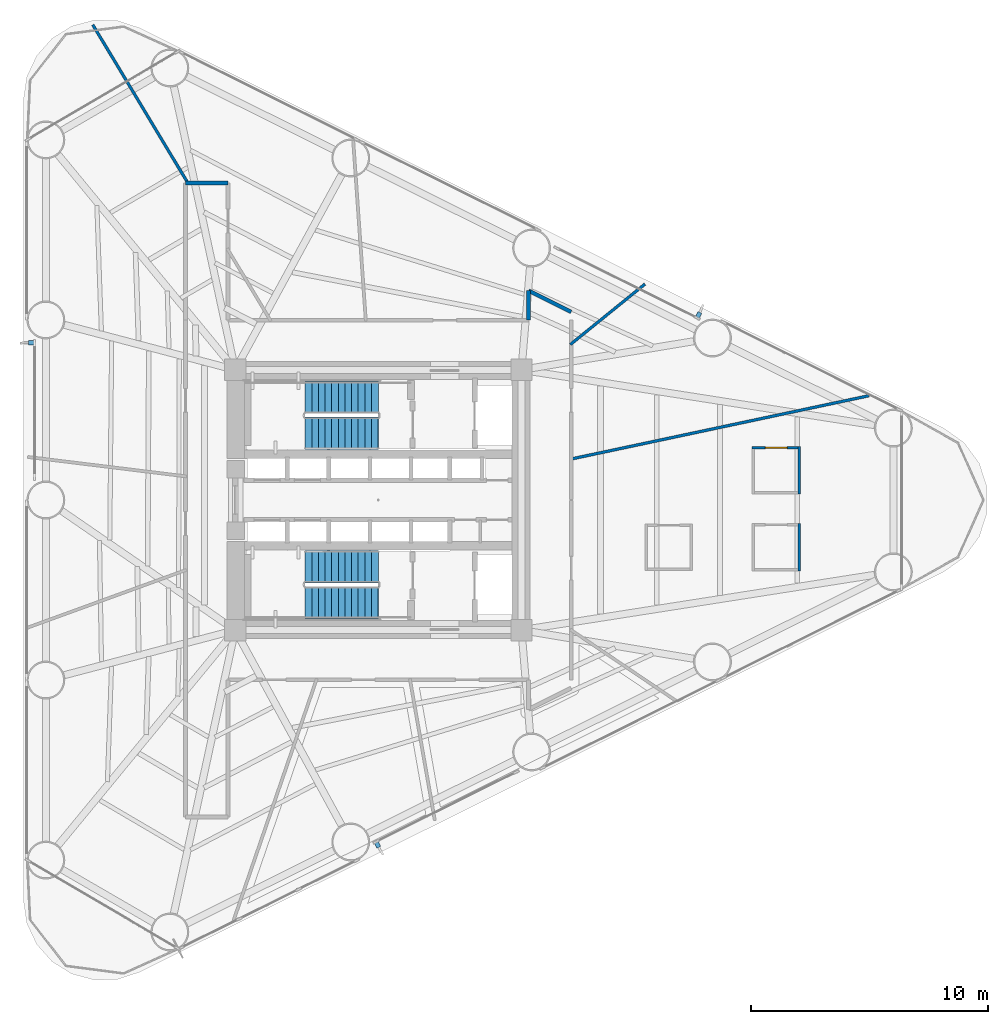
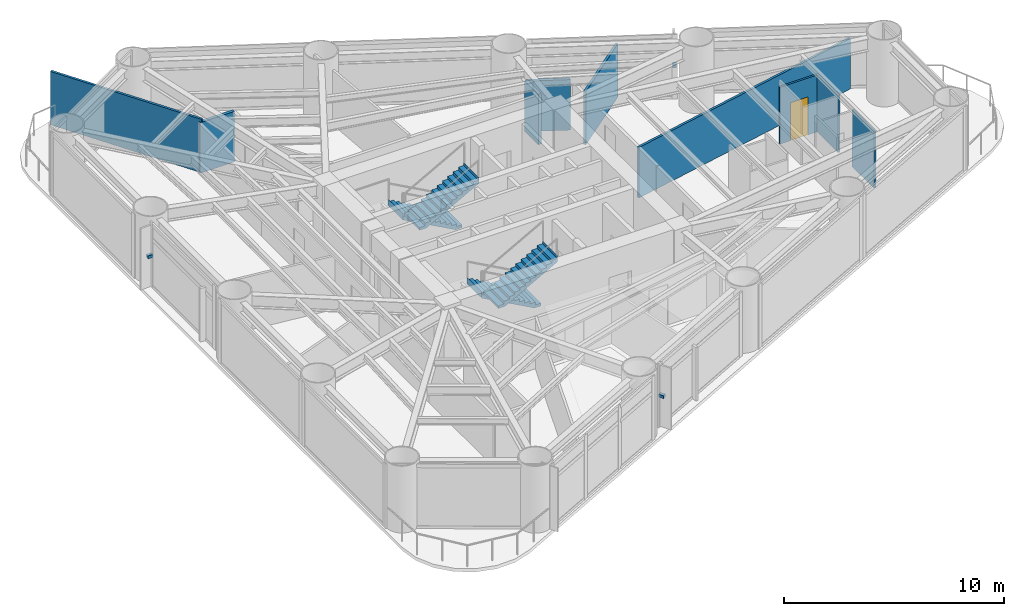
# One storey, part 7 of 11: 9 walls, 4 stair flights, 3 discrete accessories, 1 door, 1 opening, 2 elements without a shape of their own.
"""IFC4 building model written with IfcOpenShell, lengths in metres."""

from ifc_helpers import new_model, si_unit, direction, frame, frame_2d, origin, origin_2d, place, context, subcontext, project, spatial, polyline, rectangle, outline, extrude, source, transform, mapped, material, layer, layer_set, type_object, element, fill, aggregate, save


model = new_model("IFC4")

# Units and contexts
model_context = context("Model", 3, precision=1e-05, world=origin(), true_north=direction((0.0, 1.0)))
body_context = subcontext(model_context, "Body", "Model", "MODEL_VIEW")
ifc_project = project(units=[si_unit("LENGTHUNIT", "METRE"), si_unit("AREAUNIT", "SQUARE_METRE"), si_unit("VOLUMEUNIT", "CUBIC_METRE"), si_unit("PLANEANGLEUNIT", "RADIAN"), si_unit("MASSUNIT", "GRAM", prefix="KILO")], contexts=[model_context])

# Site, building, storey
site_placement = place(None, origin())
site = spatial("IfcSite", under=ifc_project, at=site_placement, CompositionType="ELEMENT")
building_placement = place(site_placement, origin())
building = spatial("IfcBuilding", under=site, at=building_placement, Name="Yunling Apex Tower", CompositionType="ELEMENT")
storey_placement = place(building_placement, frame((0.0, 0.0, 42.300048828125)))
storey = spatial("IfcBuildingStorey", under=building, at=storey_placement, Name="L12", CompositionType="ELEMENT", Elevation=42.300048828125)

# Walls
ifc_material_1 = material(Name="Gypsum board acoustic partition")
ifc_layer_1 = layer(ifc_material_1, 0.159912109375)
ifc_layer_set_1 = layer_set([ifc_layer_1], Name="Gypsum board acoustic partition")
wall_type_1 = type_object("IfcWallType", Name="WL-PRT-1", PredefinedType="PARTITIONING", material=ifc_layer_set_1)
wall_1_placement = place(storey_placement, frame((-8.14990234375, 13.39990234375, 0.0), z_axis=(0.0, 0.0, 1.0), x_axis=(1.0, 0.0, 0.0)))
element("IfcWall", 1, at=wall_1_placement, inside=storey, type_object=wall_type_1, Name="WL-CORR-L12-07", PredefinedType="PARTITIONING", context=body_context, shape_type="SweptSolid", body=[
    extrude(rectangle(XDim=1.7998046875, YDim=0.159912109375, at=frame_2d((0.89990234375, 0.0))), origin(), (0.0, 0.0, 1.0), 2.800048828125),
])
wall_2_placement = place(storey_placement, frame((6.35009765625, 7.60009765625, 0.0), z_axis=(0.0, 0.0, 1.0), x_axis=(0.0, 1.0, 0.0)))
element("IfcWall", 2, at=wall_2_placement, inside=storey, type_object=wall_type_1, Name="WL-CORR-L12-10", PredefinedType="PARTITIONING", context=body_context, shape_type="SweptSolid", body=[
    extrude(rectangle(XDim=1.24609375, YDim=0.159912109375, at=frame_2d((0.623046875, 0.0))), origin(), (0.0, 0.0, 1.0), 2.800048828125),
])
wall_3_placement = place(storey_placement, frame((6.35009765625, 8.84619140625, 0.0), z_axis=(0.0, 0.0, 1.0), x_axis=(0.895251454268, -0.445561256879, 0.0)))
element("IfcWall", 3, at=wall_3_placement, inside=storey, type_object=wall_type_1, Name="WL-CORR-L12-11", PredefinedType="PARTITIONING", context=body_context, shape_type="SweptSolid", body=[
    extrude(rectangle(XDim=2.010498046875, YDim=0.159912109375, at=frame_2d((1.00537109375, 0.0))), origin(), (0.0, 0.0, 1.0), 2.800048828125),
])
ifc_layer_2 = layer(ifc_material_1, 0.1201171875)
ifc_layer_set_2 = layer_set([ifc_layer_2], Name="Gypsum board acoustic partition")
wall_type_2 = type_object("IfcWallType", Name="WL-PRT-3", PredefinedType="PARTITIONING", material=ifc_layer_set_2)
wall_4_placement = place(storey_placement, frame((8.110107421875, 6.5673828125, 0.0), z_axis=(0.0, 0.0, 1.0), x_axis=(0.777144107081, 0.629322681007, 0.0)))
element("IfcWall", 4, at=wall_4_placement, inside=storey, type_object=wall_type_2, Name="WL-RAD-L12-01", PredefinedType="PARTITIONING", context=body_context, shape_type="SweptSolid", body=[
    extrude(rectangle(XDim=4.06298828125, YDim=0.1201171875, at=frame_2d((2.031494140625, 0.0))), origin(), (0.0, 0.0, 1.0), 2.9599609375),
])
wall_5_placement = place(storey_placement, frame((-8.027587890625, 13.360107421875, 0.0), z_axis=(0.0, 0.0, 1.0), x_axis=(-0.515031259007, 0.857171396073, 0.0)))
element("IfcWall", 5, at=wall_5_placement, inside=storey, type_object=wall_type_2, Name="WL-RAD-L12-04", PredefinedType="PARTITIONING", context=body_context, shape_type="SweptSolid", body=[
    extrude(rectangle(XDim=7.8427734375, YDim=0.1201171875, at=frame_2d((3.92138671875, 0.0))), origin(), (0.0, 0.0, 1.0), 2.9599609375),
])
wall_6_placement = place(storey_placement, frame((8.110107421875, 1.723876953125, 0.0), z_axis=(0.0, 0.0, 1.0), x_axis=(0.978149384457, 0.207903298882, 0.0)))
element("IfcWall", 6, at=wall_6_placement, inside=storey, type_object=wall_type_2, Name="WL-RAD-L12-10", PredefinedType="PARTITIONING", context=body_context, shape_type="SweptSolid", body=[
    extrude(rectangle(XDim=12.913818359375, YDim=0.1201171875, at=frame_2d((6.45703125, 0.0))), origin(), (0.0, 0.0, 1.0), 2.800048828125),
])
ifc_layer_3 = layer(ifc_material_1, 0.10009765625)
ifc_layer_set_3 = layer_set([ifc_layer_3], Name="Gypsum board acoustic partition")
wall_type_3 = type_object("IfcWallType", Name="WL-PRT-4", PredefinedType="PARTITIONING", material=ifc_layer_set_3)
wall_7_placement = place(storey_placement, frame((17.794921875, -0.9970703125, 0.0), z_axis=(0.0, 0.0, 1.0), x_axis=(0.0, -1.0, 0.0)))
element("IfcWall", 7, at=wall_7_placement, inside=storey, type_object=wall_type_3, Name="WL-L12-WCME", PredefinedType="PARTITIONING", context=body_context, shape_type="SweptSolid", body=[
    extrude(rectangle(XDim=2.0, YDim=0.10009765625, at=frame_2d((1.0, 0.0))), origin(), (0.0, 0.0, 1.0), 3.14990234375),
])

# Wall, opening, door
wall_8_placement = place(storey_placement, frame((15.794921875, 2.2109375, 0.0), z_axis=(0.0, 0.0, 1.0), x_axis=(1.0, 0.0, 0.0)))
wall_8 = element("IfcWall", 8, at=wall_8_placement, inside=storey, type_object=wall_type_3, Name="WL-L12-WCFN", PredefinedType="PARTITIONING", context=body_context, shape_type="SweptSolid", body=[
    extrude(rectangle(XDim=2.050048828125, YDim=0.10009765625, at=frame_2d((1.02490234375, 0.0))), origin(), (0.0, 0.0, 1.0), 3.14990234375),
])
opening_placement = place(wall_8_placement, frame((0.56494140625, 0.0, 0.0)))
opening = element("IfcOpeningElement", 9, at=opening_placement, cuts=wall_8, Name="Opening DR-WC-1", PredefinedType="OPENING", context=body_context, shape_type="SweptSolid", body=[
    extrude(rectangle(XDim=0.919921875, YDim=2.10009765625, at=frame_2d((0.4599609375, 1.050048828125))), frame((0.0, 0.06005859375, 0.0), z_axis=(0.0, -1.0, 0.0), x_axis=(1.0, 0.0, 0.0)), (0.0, 0.0, 1.0), 0.1201171875),
])
ifc_material_2 = material(Name="Timber moisture-resistant leaf", Category="wood")
door_type = type_object("IfcDoorType", Name="DR-WC-1", OperationType="NOTDEFINED", PredefinedType="DOOR", material=ifc_material_2)
door_placement = place(opening_placement, origin())
door = element("IfcDoor", 10, at=door_placement, inside=storey, type_object=door_type, Name="L12 Female Toilet Door", OperationType="SINGLE_SWING_LEFT", OverallHeight=2.10009765625, OverallWidth=0.919921875, PredefinedType="DOOR", context=body_context, shape_type="SweptSolid", body=[
    extrude(rectangle(XDim=0.919921875, YDim=2.10009765625, at=frame_2d((0.4599609375, 1.050048828125))), frame((0.0, 0.02490234375, 0.0), z_axis=(0.0, -1.0, 0.0), x_axis=(1.0, 0.0, 0.0)), (0.0, 0.0, 1.0), 0.050048828125),
])
fill(opening, door)

# Wall
wall_9_placement = place(storey_placement, frame((17.794921875, 2.260986328125, 0.0), z_axis=(0.0, 0.0, 1.0), x_axis=(0.0, -1.0, 0.0)))
element("IfcWall", 11, at=wall_9_placement, inside=storey, type_object=wall_type_3, Name="WL-L12-WCFE", PredefinedType="PARTITIONING", context=body_context, shape_type="SweptSolid", body=[
    extrude(rectangle(XDim=2.0, YDim=0.10009765625, at=frame_2d((1.0, 0.0))), origin(), (0.0, 0.0, 1.0), 3.14990234375),
])

# Stair, stair flights
ifc_material_3 = material(Name="Concrete C40", Category="concrete")
stair_type = type_object("IfcStairType", Name="ST-TWR-1", PredefinedType="HALF_TURN_STAIR", material=ifc_material_3)
stair_1_placement = place(storey_placement, origin())
stair_1 = element("IfcStair", 12, at=stair_1_placement, inside=storey, type_object=stair_type, Name="L12 North Core Smokeproof Exit Stair ST-1", PredefinedType="HALF_TURN_STAIR")
stair_flight_type = type_object("IfcStairFlightType", Name="SFL-TWR-1", PredefinedType="STRAIGHT", material=ifc_material_3)
stair_flight_1_placement = place(storey_placement, frame((-0.010009765625, 4.330078125, 0.0), z_axis=(0.0, 0.0, 1.0), x_axis=(-1.0, 0.0, 0.0)))
stair_flight_1 = element("IfcStairFlight", 13, at=stair_flight_1_placement, type_object=stair_flight_type, Name="ST-1 flight 1", NumberOfRisers=12, NumberOfTreads=11, PredefinedType="STRAIGHT", RiserHeight=0.154166667, TreadLength=0.28, context=body_context, shape_type="SweptSolid", body=[
    extrude(outline(polyline([(-0.011962890625, 0.0), (-0.011962890625, 0.154052734375), (0.0, 0.154052734375), (0.280029296875, 0.154052734375), (0.280029296875, 0.308349609375), (0.56005859375, 0.308349609375), (0.56005859375, 0.46240234375), (0.840087890625, 0.46240234375), (0.840087890625, 0.61669921875), (1.1201171875, 0.61669921875), (1.1201171875, 0.770751953125), (1.39990234375, 0.770751953125), (1.39990234375, 0.925048828125), (1.679931640625, 0.925048828125), (1.679931640625, 1.0791015625), (1.9599609375, 1.0791015625), (1.9599609375, 1.2333984375), (2.239990234375, 1.2333984375), (2.239990234375, 1.387451171875), (2.52001953125, 1.387451171875), (2.52001953125, 1.541748046875), (2.800048828125, 1.541748046875), (2.800048828125, 1.69580078125), (3.080078125, 1.69580078125), (3.080078125, 1.85009765625), (3.092041015625, 1.85009765625), (3.092041015625, 1.51318359375), (0.33154296875, 0.0), (-0.011962890625, 0.0)])), frame((0.0, 0.68017578125, 0.0), z_axis=(0.0, -1.0, 0.0), x_axis=(1.0, 0.0, 0.0)), (0.0, 0.0, 1.0), 1.360107421875),
])
stair_flight_2_placement = place(storey_placement, frame((-3.090087890625, 2.820068359375, 1.849853515625), z_axis=(0.0, 0.0, 1.0), x_axis=(1.0, 0.0, 0.0)))
stair_flight_2 = element("IfcStairFlight", 14, at=stair_flight_2_placement, type_object=stair_flight_type, Name="ST-1 flight 2", NumberOfRisers=12, NumberOfTreads=11, PredefinedType="STRAIGHT", RiserHeight=0.154166667, TreadLength=0.28, context=body_context, shape_type="SweptSolid", body=[
    extrude(outline(polyline([(-0.011962890625, 0.0), (-0.011962890625, 0.154052734375), (0.0, 0.154052734375), (0.280029296875, 0.154052734375), (0.280029296875, 0.308349609375), (0.56005859375, 0.308349609375), (0.56005859375, 0.46240234375), (0.840087890625, 0.46240234375), (0.840087890625, 0.61669921875), (1.1201171875, 0.61669921875), (1.1201171875, 0.770751953125), (1.39990234375, 0.770751953125), (1.39990234375, 0.925048828125), (1.679931640625, 0.925048828125), (1.679931640625, 1.0791015625), (1.9599609375, 1.0791015625), (1.9599609375, 1.2333984375), (2.239990234375, 1.2333984375), (2.239990234375, 1.387451171875), (2.52001953125, 1.387451171875), (2.52001953125, 1.541748046875), (2.800048828125, 1.541748046875), (2.800048828125, 1.69580078125), (3.080078125, 1.69580078125), (3.080078125, 1.85009765625), (3.092041015625, 1.85009765625), (3.092041015625, 1.51318359375), (0.33154296875, 0.0), (-0.011962890625, 0.0)])), frame((0.0, 0.68017578125, 0.0), z_axis=(0.0, -1.0, 0.0), x_axis=(1.0, 0.0, 0.0)), (0.0, 0.0, 1.0), 1.360107421875),
])
aggregate(stair_1, [stair_flight_1, stair_flight_2])

stair_2_placement = place(storey_placement, origin())
stair_2 = element("IfcStair", 15, at=stair_2_placement, inside=storey, type_object=stair_type, Name="L12 South Core Smokeproof Exit Stair ST-2", PredefinedType="HALF_TURN_STAIR")
stair_flight_3_placement = place(storey_placement, frame((-0.010009765625, -2.820068359375, 0.0), z_axis=(0.0, 0.0, 1.0), x_axis=(-1.0, 0.0, 0.0)))
stair_flight_3 = element("IfcStairFlight", 16, at=stair_flight_3_placement, type_object=stair_flight_type, Name="ST-2 flight 1", NumberOfRisers=12, NumberOfTreads=11, PredefinedType="STRAIGHT", RiserHeight=0.154166667, TreadLength=0.28, context=body_context, shape_type="SweptSolid", body=[
    extrude(outline(polyline([(-0.011962890625, 0.0), (-0.011962890625, 0.154052734375), (0.0, 0.154052734375), (0.280029296875, 0.154052734375), (0.280029296875, 0.308349609375), (0.56005859375, 0.308349609375), (0.56005859375, 0.46240234375), (0.840087890625, 0.46240234375), (0.840087890625, 0.61669921875), (1.1201171875, 0.61669921875), (1.1201171875, 0.770751953125), (1.39990234375, 0.770751953125), (1.39990234375, 0.925048828125), (1.679931640625, 0.925048828125), (1.679931640625, 1.0791015625), (1.9599609375, 1.0791015625), (1.9599609375, 1.2333984375), (2.239990234375, 1.2333984375), (2.239990234375, 1.387451171875), (2.52001953125, 1.387451171875), (2.52001953125, 1.541748046875), (2.800048828125, 1.541748046875), (2.800048828125, 1.69580078125), (3.080078125, 1.69580078125), (3.080078125, 1.85009765625), (3.092041015625, 1.85009765625), (3.092041015625, 1.51318359375), (0.33154296875, 0.0), (-0.011962890625, 0.0)])), frame((0.0, 0.68017578125, 0.0), z_axis=(0.0, -1.0, 0.0), x_axis=(1.0, 0.0, 0.0)), (0.0, 0.0, 1.0), 1.360107421875),
])
stair_flight_4_placement = place(storey_placement, frame((-3.090087890625, -4.330078125, 1.849853515625), z_axis=(0.0, 0.0, 1.0), x_axis=(1.0, 0.0, 0.0)))
stair_flight_4 = element("IfcStairFlight", 17, at=stair_flight_4_placement, type_object=stair_flight_type, Name="ST-2 flight 2", NumberOfRisers=12, NumberOfTreads=11, PredefinedType="STRAIGHT", RiserHeight=0.154166667, TreadLength=0.28, context=body_context, shape_type="SweptSolid", body=[
    extrude(outline(polyline([(-0.011962890625, 0.0), (-0.011962890625, 0.154052734375), (0.0, 0.154052734375), (0.280029296875, 0.154052734375), (0.280029296875, 0.308349609375), (0.56005859375, 0.308349609375), (0.56005859375, 0.46240234375), (0.840087890625, 0.46240234375), (0.840087890625, 0.61669921875), (1.1201171875, 0.61669921875), (1.1201171875, 0.770751953125), (1.39990234375, 0.770751953125), (1.39990234375, 0.925048828125), (1.679931640625, 0.925048828125), (1.679931640625, 1.0791015625), (1.9599609375, 1.0791015625), (1.9599609375, 1.2333984375), (2.239990234375, 1.2333984375), (2.239990234375, 1.387451171875), (2.52001953125, 1.387451171875), (2.52001953125, 1.541748046875), (2.800048828125, 1.541748046875), (2.800048828125, 1.69580078125), (3.080078125, 1.69580078125), (3.080078125, 1.85009765625), (3.092041015625, 1.85009765625), (3.092041015625, 1.51318359375), (0.33154296875, 0.0), (-0.011962890625, 0.0)])), frame((0.0, 0.68017578125, 0.0), z_axis=(0.0, -1.0, 0.0), x_axis=(1.0, 0.0, 0.0)), (0.0, 0.0, 1.0), 1.360107421875),
])
aggregate(stair_2, [stair_flight_3, stair_flight_4])

# Discrete accessories
ifc_material_4 = material(Name="Steel Q355B", Category="steel")
discrete_accessory_type = type_object("IfcDiscreteAccessoryType", Name="BK-FIN-1", PredefinedType="BRACKET", material=ifc_material_4)
shared_shape = source(origin(), body_context, "Body", "SweptSolid", [
    extrude(rectangle(XDim=0.179931640625, YDim=0.260009765625, at=origin_2d()), origin(), (0.0, 0.0, 1.0), 0.159912109375),
])
for number, where, z_axis, x_axis, name in (
    (18, (-0.0380859375, -14.561279296875, 1.677734375), (0.0, 0.0, 1.0), (0.895245648325, 0.445572922377, 0.0), "CW-L12-F1-B2-BRK-01-1"),
    (19, (13.527587890625, 7.8095703125, 1.677734375), (0.0, 0.0, 1.0), (-0.895245648325, 0.445572922377, 0.0), "CW-L12-F2-B2-BRK-01-1"),
    (20, (-14.652099609375, 6.64697265625, 1.677734375), (0.0, 0.0, 1.0), (0.0, -1.0, 0.0), "CW-L12-F3-B2-BRK-01-1"),
):
    element("IfcDiscreteAccessory", number, at=place(storey_placement, frame(where, z_axis=z_axis, x_axis=x_axis)), inside=storey, type_object=discrete_accessory_type, Name=name, PredefinedType="BRACKET", context=body_context, shape_type="MappedRepresentation", body=[
        mapped(shared_shape, transform((0.0, 0.0, 0.0), scale=1.0)),
    ])

save(model, "model.ifc")
